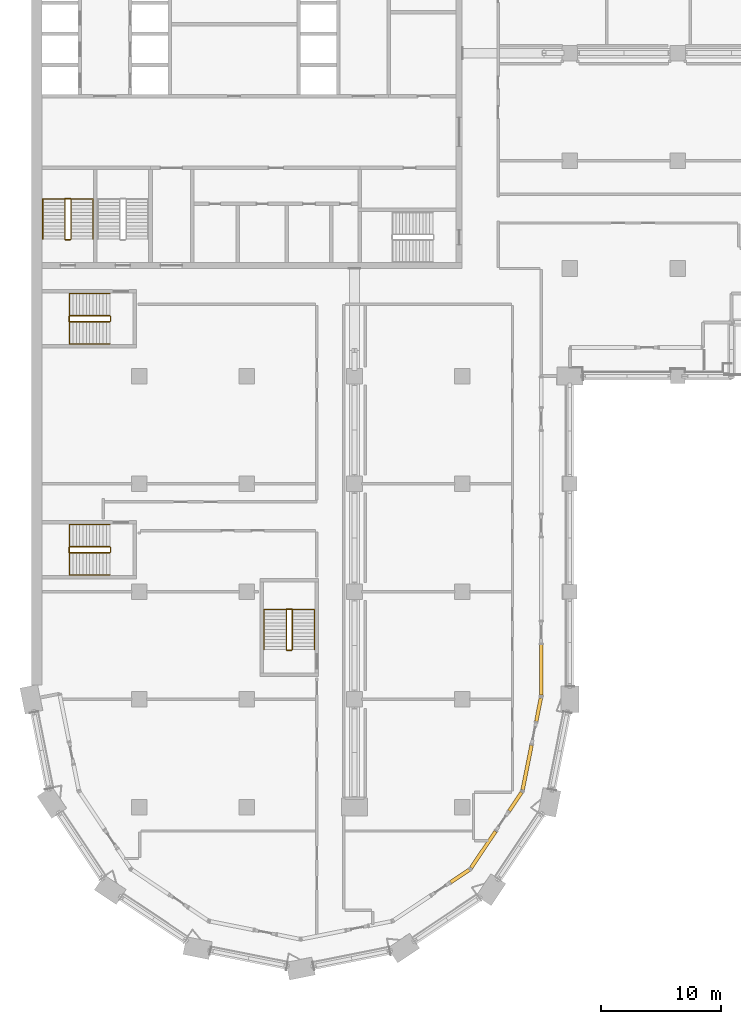
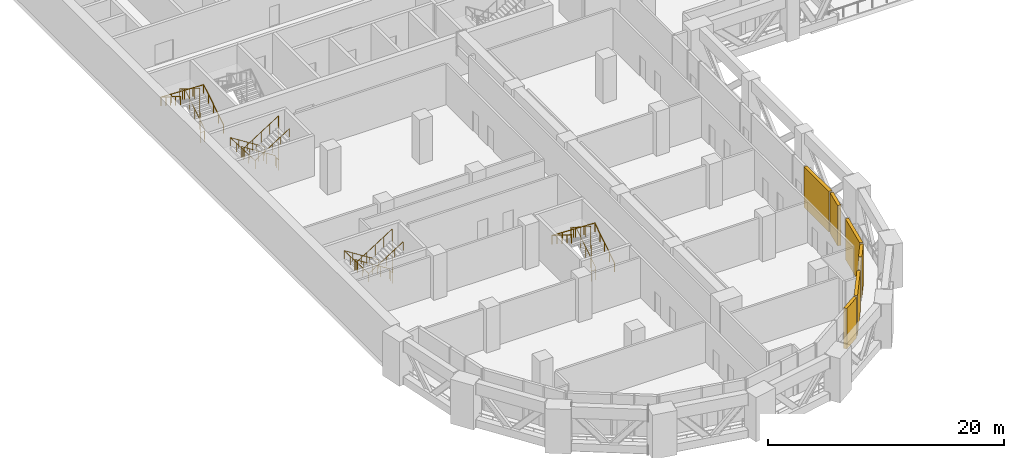
# One storey, part 19 of 22: 8 railings, 6 shading devices.
"""IFC4 building model written with IfcOpenShell, lengths in metres."""

from ifc_helpers import new_model, si_unit, direction, frame, origin, origin_2d, place, context, subcontext, project, spatial, rectangle, circle, extrude, material, layer, layer_set, type_object, element, save


model = new_model("IFC4")

# Units and contexts
model_context = context("Model", 3, precision=1e-05, world=origin(), true_north=direction((0.0, 1.0)))
body_context = subcontext(model_context, "Body", "Model", "MODEL_VIEW")
ifc_project = project(units=[si_unit("LENGTHUNIT", "METRE"), si_unit("AREAUNIT", "SQUARE_METRE"), si_unit("VOLUMEUNIT", "CUBIC_METRE"), si_unit("PLANEANGLEUNIT", "RADIAN"), si_unit("MASSUNIT", "GRAM", prefix="KILO")], contexts=[model_context])

# Site, building, storey
site_placement = place(None, origin())
site = spatial("IfcSite", under=ifc_project, at=site_placement, CompositionType="ELEMENT")
building_placement = place(site_placement, origin())
building = spatial("IfcBuilding", under=site, at=building_placement, Name="Hunhe Ridgeline Campus", CompositionType="ELEMENT")
storey_placement = place(building_placement, frame((0.0, 0.0, 129.199951171875)))
storey = spatial("IfcBuildingStorey", under=building, at=storey_placement, Name="L32", CompositionType="ELEMENT", Elevation=129.199951171875)

# Shading devices
ifc_material_1 = material(Name="Aluminium 6063", Category="aluminium")
ifc_layer = layer(ifc_material_1, 0.300048828125)
ifc_layer_set = layer_set([ifc_layer], Name="Louvre bank 300 Aluminium 6063")
shading_device_type = type_object("IfcShadingDeviceType", Name="Louvre bank 300 Aluminium 6063", PredefinedType="USERDEFINED", material=ifc_layer_set)
shading_device_1_placement = place(storey_placement, frame((35.80078125, 12.234375, 0.0), z_axis=(0.0, 0.0, 1.0), x_axis=(0.831469622629, 0.555570217564, 0.0)))
element("IfcShadingDevice", 1, at=shading_device_1_placement, inside=storey, type_object=shading_device_type, Name="Louvre bank 12", ObjectType="LOUVRE", PredefinedType="USERDEFINED", context=body_context, shape_type="SweptSolid", body=[
    extrude(rectangle(XDim=1.871826171875, YDim=0.300048828125, at=origin_2d()), origin(), (0.0, 0.0, 1.0), 4.199951171875),
])
shading_device_2_placement = place(storey_placement, frame((37.765625, 14.447509765625, 0.0), z_axis=(0.0, 0.0, 1.0), x_axis=(0.555570362959, 0.83146952548, 0.0)))
element("IfcShadingDevice", 2, at=shading_device_2_placement, inside=storey, type_object=shading_device_type, Name="Louvre bank 13", ObjectType="LOUVRE", PredefinedType="USERDEFINED", context=body_context, shape_type="SweptSolid", body=[
    extrude(rectangle(XDim=3.671875, YDim=0.300048828125, at=origin_2d()), origin(), (0.0, 0.0, 1.0), 4.199951171875),
])
shading_device_3_placement = place(storey_placement, frame((40.43896484375, 18.448486328125, 0.0), z_axis=(0.0, 0.0, 1.0), x_axis=(0.555570217564, 0.831469622629, 0.0)))
element("IfcShadingDevice", 3, at=shading_device_3_placement, inside=storey, type_object=shading_device_type, Name="Louvre bank 14", ObjectType="LOUVRE", PredefinedType="USERDEFINED", context=body_context, shape_type="SweptSolid", body=[
    extrude(rectangle(XDim=1.871826171875, YDim=0.300048828125, at=origin_2d()), origin(), (0.0, 0.0, 1.0), 4.199951171875),
])
shading_device_4_placement = place(storey_placement, frame((41.4189453125, 21.303955078125, 0.0), z_axis=(0.0, 0.0, 1.0), x_axis=(0.195090179937, 0.980785308664, 0.0)))
element("IfcShadingDevice", 4, at=shading_device_4_placement, inside=storey, type_object=shading_device_type, Name="Louvre bank 15", ObjectType="LOUVRE", PredefinedType="USERDEFINED", context=body_context, shape_type="SweptSolid", body=[
    extrude(rectangle(XDim=3.79248046875, YDim=0.300048828125, at=origin_2d()), origin(), (0.0, 0.0, 1.0), 4.199951171875),
])
shading_device_5_placement = place(storey_placement, frame((42.38134765625, 26.1416015625, 0.0), z_axis=(0.0, 0.0, 1.0), x_axis=(0.195090357587, 0.980785273328, 0.0)))
element("IfcShadingDevice", 5, at=shading_device_5_placement, inside=storey, type_object=shading_device_type, Name="Louvre bank 16", ObjectType="LOUVRE", PredefinedType="USERDEFINED", context=body_context, shape_type="SweptSolid", body=[
    extrude(rectangle(XDim=1.992431640625, YDim=0.300048828125, at=origin_2d()), origin(), (0.0, 0.0, 1.0), 4.199951171875),
])
shading_device_6_placement = place(storey_placement, frame((42.59912109375, 29.466796875, 0.0), z_axis=(0.0, 0.0, 1.0), x_axis=(4.483629e-06, 0.99999999999, 0.0)))
element("IfcShadingDevice", 6, at=shading_device_6_placement, inside=storey, type_object=shading_device_type, Name="Louvre bank 17", ObjectType="LOUVRE", PredefinedType="USERDEFINED", context=body_context, shape_type="SweptSolid", body=[
    extrude(rectangle(XDim=4.220703125, YDim=0.300048828125, at=origin_2d()), origin(), (0.0, 0.0, 1.0), 4.199951171875),
])

# Railings
ifc_material_2 = material(Name="Stainless steel balustrade", Category="steel")
railing_type_1 = type_object("IfcRailingType", Name="Stair guard 1100 stainless", PredefinedType="GUARDRAIL", material=ifc_material_2)
railing_1_placement = place(storey_placement, frame((3.300048828125, 65.449951171875, 0.177001953125)))
element("IfcRailing", 7, at=railing_1_placement, inside=storey, type_object=railing_type_1, Name="L32 stair S3 guard", PredefinedType="GUARDRAIL", context=body_context, shape_type="SweptSolid", body=[
    extrude(circle(Radius=0.02392578125, at=origin_2d()), frame((0.0, 0.0, 1.076171875), z_axis=(0.0, 0.845389635667, 0.534150132366), x_axis=(-1.0, 0.0, 0.0)), (0.0, 0.0, 1.0), 3.974609375),
    extrude(circle(Radius=0.02392578125, at=origin_2d()), frame((0.0, 3.360107421875, 3.19921875), z_axis=(-0.707106781187, 0.707106781187, 0.0), x_axis=(-0.707106781187, -0.707106781187, 0.0)), (0.0, 0.0, 1.0), 0.07080078125),
    extrude(circle(Radius=0.02392578125, at=origin_2d()), frame((-0.050048828125, 3.41015625, 3.19921875), z_axis=(-1.0, 0.0, 0.0), x_axis=(0.0, -1.0, 0.0)), (0.0, 0.0, 1.0), 0.39990234375),
    extrude(circle(Radius=0.02392578125, at=origin_2d()), frame((-0.449951171875, 3.41015625, 3.19921875), z_axis=(-0.262545553595, -0.262545553595, 0.928514762713), x_axis=(0.707106781187, -0.707106781187, 0.0)), (0.0, 0.0, 1.0), 0.190673828125),
    extrude(circle(Radius=0.02392578125, at=origin_2d()), frame((-0.5, 3.360107421875, 3.3759765625), z_axis=(0.0, -0.845389635667, 0.534150132366), x_axis=(1.0, 0.0, 0.0)), (0.0, 0.0, 1.0), 3.974609375),
    extrude(circle(Radius=0.02392578125, at=origin_2d()), frame((-0.5, 0.0, 5.4990234375), z_axis=(0.010878661383, -0.010878661383, -0.999881647723), x_axis=(0.707106781187, 0.707106781187, 0.0)), (0.0, 0.0, 1.0), 4.6005859375),
    extrude(circle(Radius=0.02392578125, at=origin_2d()), frame((-0.449951171875, -0.050048828125, 0.89892578125), z_axis=(1.0, 0.0, 0.0), x_axis=(0.0, 1.0, 0.0)), (0.0, 0.0, 1.0), 0.39990234375),
    extrude(circle(Radius=0.02099609375, at=origin_2d()), origin(), (0.0, 0.0, 1.0), 1.052001953125),
    extrude(circle(Radius=0.02099609375, at=origin_2d()), frame((0.0, 0.840087890625, 0.53076171875)), (0.0, 0.0, 1.0), 1.052001953125),
    extrude(circle(Radius=0.02099609375, at=origin_2d()), frame((0.0, 1.68017578125, 1.0615234375)), (0.0, 0.0, 1.0), 1.052001953125),
    extrude(circle(Radius=0.02099609375, at=origin_2d()), frame((0.0, 2.52001953125, 1.59228515625)), (0.0, 0.0, 1.0), 1.052001953125),
    extrude(circle(Radius=0.02099609375, at=origin_2d()), frame((0.0, 3.360107421875, 2.123046875)), (0.0, 0.0, 1.0), 1.052001953125),
    extrude(circle(Radius=0.02099609375, at=origin_2d()), frame((-0.050048828125, 3.41015625, 2.123046875)), (0.0, 0.0, 1.0), 1.052001953125),
    extrude(circle(Radius=0.02099609375, at=origin_2d()), frame((-0.449951171875, 3.41015625, 2.123046875)), (0.0, 0.0, 1.0), 1.052001953125),
    extrude(circle(Radius=0.02099609375, at=origin_2d()), frame((-0.5, 3.360107421875, 2.300048828125)), (0.0, 0.0, 1.0), 1.052001953125),
    extrude(circle(Radius=0.02099609375, at=origin_2d()), frame((-0.5, 2.52001953125, 2.830810546875)), (0.0, 0.0, 1.0), 1.052001953125),
    extrude(circle(Radius=0.02099609375, at=origin_2d()), frame((-0.5, 1.68017578125, 3.361572265625)), (0.0, 0.0, 1.0), 1.052001953125),
    extrude(circle(Radius=0.02099609375, at=origin_2d()), frame((-0.5, 0.840087890625, 3.892333984375)), (0.0, 0.0, 1.0), 1.052001953125),
    extrude(circle(Radius=0.02099609375, at=origin_2d()), frame((-0.5, 0.0, 4.423095703125)), (0.0, 0.0, 1.0), 1.052001953125),
    extrude(circle(Radius=0.02099609375, at=origin_2d()), frame((-0.487548828125, -0.012451171875, 3.27294921875)), (0.0, 0.0, 1.0), 1.052001953125),
    extrude(circle(Radius=0.02099609375, at=origin_2d()), frame((-0.47509765625, -0.02490234375, 2.123046875)), (0.0, 0.0, 1.0), 1.052001953125),
    extrude(circle(Radius=0.02099609375, at=origin_2d()), frame((-0.46240234375, -0.03759765625, 0.97314453125)), (0.0, 0.0, 1.0), 1.052001953125),
    extrude(circle(Radius=0.02099609375, at=origin_2d()), frame((-0.449951171875, -0.050048828125, -0.177001953125)), (0.0, 0.0, 1.0), 1.052001953125),
    extrude(circle(Radius=0.02099609375, at=origin_2d()), frame((-0.050048828125, -0.050048828125, -0.177001953125)), (0.0, 0.0, 1.0), 1.052001953125),
])
railing_2_placement = place(storey_placement, frame((21.800048828125, 31.14990234375, 0.177001953125)))
element("IfcRailing", 8, at=railing_2_placement, inside=storey, type_object=railing_type_1, Name="L32 stair W3 guard", PredefinedType="GUARDRAIL", context=body_context, shape_type="SweptSolid", body=[
    extrude(circle(Radius=0.02392578125, at=origin_2d()), frame((0.0, 0.0, 1.076171875), z_axis=(0.0, 0.845389635667, 0.534150132366), x_axis=(-1.0, 0.0, 0.0)), (0.0, 0.0, 1.0), 3.974609375),
    extrude(circle(Radius=0.02392578125, at=origin_2d()), frame((0.0, 3.360107421875, 3.19921875), z_axis=(-0.707106781187, 0.707106781187, 0.0), x_axis=(-0.707106781187, -0.707106781187, 0.0)), (0.0, 0.0, 1.0), 0.07080078125),
    extrude(circle(Radius=0.02392578125, at=origin_2d()), frame((-0.050048828125, 3.41015625, 3.19921875), z_axis=(-1.0, 0.0, 0.0), x_axis=(0.0, -1.0, 0.0)), (0.0, 0.0, 1.0), 0.39990234375),
    extrude(circle(Radius=0.02392578125, at=origin_2d()), frame((-0.449951171875, 3.41015625, 3.19921875), z_axis=(-0.262545553595, -0.262545553595, 0.928514762713), x_axis=(0.707106781187, -0.707106781187, 0.0)), (0.0, 0.0, 1.0), 0.190673828125),
    extrude(circle(Radius=0.02392578125, at=origin_2d()), frame((-0.5, 3.360107421875, 3.3759765625), z_axis=(0.0, -0.845389635667, 0.534150132366), x_axis=(1.0, 0.0, 0.0)), (0.0, 0.0, 1.0), 3.974609375),
    extrude(circle(Radius=0.02392578125, at=origin_2d()), frame((-0.5, 0.0, 5.4990234375), z_axis=(0.010878667648, -0.010825600977, -0.999882223541), x_axis=(0.705375805398, 0.708833529934, 0.0)), (0.0, 0.0, 1.0), 4.6005859375),
    extrude(circle(Radius=0.02392578125, at=origin_2d()), frame((-0.449951171875, -0.0498046875, 0.89892578125), z_axis=(1.0, 0.0, 0.0), x_axis=(0.0, 1.0, 0.0)), (0.0, 0.0, 1.0), 0.39990234375),
    extrude(circle(Radius=0.02099609375, at=origin_2d()), origin(), (0.0, 0.0, 1.0), 1.052001953125),
    extrude(circle(Radius=0.02099609375, at=origin_2d()), frame((0.0, 0.840087890625, 0.53076171875)), (0.0, 0.0, 1.0), 1.052001953125),
    extrude(circle(Radius=0.02099609375, at=origin_2d()), frame((0.0, 1.68017578125, 1.0615234375)), (0.0, 0.0, 1.0), 1.052001953125),
    extrude(circle(Radius=0.02099609375, at=origin_2d()), frame((0.0, 2.52001953125, 1.59228515625)), (0.0, 0.0, 1.0), 1.052001953125),
    extrude(circle(Radius=0.02099609375, at=origin_2d()), frame((0.0, 3.360107421875, 2.123046875)), (0.0, 0.0, 1.0), 1.052001953125),
    extrude(circle(Radius=0.02099609375, at=origin_2d()), frame((-0.050048828125, 3.41015625, 2.123046875)), (0.0, 0.0, 1.0), 1.052001953125),
    extrude(circle(Radius=0.02099609375, at=origin_2d()), frame((-0.449951171875, 3.41015625, 2.123046875)), (0.0, 0.0, 1.0), 1.052001953125),
    extrude(circle(Radius=0.02099609375, at=origin_2d()), frame((-0.5, 3.360107421875, 2.300048828125)), (0.0, 0.0, 1.0), 1.052001953125),
    extrude(circle(Radius=0.02099609375, at=origin_2d()), frame((-0.5, 2.52001953125, 2.830810546875)), (0.0, 0.0, 1.0), 1.052001953125),
    extrude(circle(Radius=0.02099609375, at=origin_2d()), frame((-0.5, 1.68017578125, 3.361572265625)), (0.0, 0.0, 1.0), 1.052001953125),
    extrude(circle(Radius=0.02099609375, at=origin_2d()), frame((-0.5, 0.840087890625, 3.892333984375)), (0.0, 0.0, 1.0), 1.052001953125),
    extrude(circle(Radius=0.02099609375, at=origin_2d()), frame((-0.5, 0.0, 4.423095703125)), (0.0, 0.0, 1.0), 1.052001953125),
    extrude(circle(Radius=0.02099609375, at=origin_2d()), frame((-0.487548828125, -0.012451171875, 3.27294921875)), (0.0, 0.0, 1.0), 1.052001953125),
    extrude(circle(Radius=0.02099609375, at=origin_2d()), frame((-0.47509765625, -0.02490234375, 2.123046875)), (0.0, 0.0, 1.0), 1.052001953125),
    extrude(circle(Radius=0.02099609375, at=origin_2d()), frame((-0.46240234375, -0.037353515625, 0.97314453125)), (0.0, 0.0, 1.0), 1.052001953125),
    extrude(circle(Radius=0.02099609375, at=origin_2d()), frame((-0.449951171875, -0.0498046875, -0.177001953125)), (0.0, 0.0, 1.0), 1.052001953125),
    extrude(circle(Radius=0.02099609375, at=origin_2d()), frame((-0.050048828125, -0.0498046875, -0.177001953125)), (0.0, 0.0, 1.0), 1.052001953125),
])
railing_3_placement = place(storey_placement, frame((6.550048828125, 39.75, 0.177001953125)))
element("IfcRailing", 9, at=railing_3_placement, inside=storey, type_object=railing_type_1, Name="L32 stair W1 guard", PredefinedType="GUARDRAIL", context=body_context, shape_type="SweptSolid", body=[
    extrude(circle(Radius=0.02392578125, at=origin_2d()), frame((0.0, 0.0, 1.076171875), z_axis=(-0.845389635667, 0.0, 0.534150132366), x_axis=(0.0, -1.0, 0.0)), (0.0, 0.0, 1.0), 3.974609375),
    extrude(circle(Radius=0.02392578125, at=origin_2d()), frame((-3.360107421875, 0.0, 3.19921875), z_axis=(-0.707106781187, -0.707106781187, 0.0), x_axis=(0.707106781187, -0.707106781187, 0.0)), (0.0, 0.0, 1.0), 0.07080078125),
    extrude(circle(Radius=0.02392578125, at=origin_2d()), frame((-3.41015625, -0.050048828125, 3.19921875), z_axis=(0.0, -1.0, 0.0), x_axis=(1.0, 0.0, 0.0)), (0.0, 0.0, 1.0), 0.39990234375),
    extrude(circle(Radius=0.02392578125, at=origin_2d()), frame((-3.41015625, -0.449951171875, 3.19921875), z_axis=(0.262545553595, -0.262545553595, 0.928514762713), x_axis=(0.707106781187, 0.707106781187, 0.0)), (0.0, 0.0, 1.0), 0.190673828125),
    extrude(circle(Radius=0.02392578125, at=origin_2d()), frame((-3.360107421875, -0.5, 3.3759765625), z_axis=(0.845389635667, 0.0, 0.534150132366), x_axis=(0.0, 1.0, 0.0)), (0.0, 0.0, 1.0), 3.974609375),
    extrude(circle(Radius=0.02392578125, at=origin_2d()), frame((0.0, -0.5, 5.4990234375), z_axis=(0.010878661383, 0.010878661383, -0.999881647723), x_axis=(-0.707106781187, 0.707106781187, 0.0)), (0.0, 0.0, 1.0), 4.6005859375),
    extrude(circle(Radius=0.02392578125, at=origin_2d()), frame((0.050048828125, -0.449951171875, 0.89892578125), z_axis=(0.0, 1.0, 0.0), x_axis=(-1.0, 0.0, 0.0)), (0.0, 0.0, 1.0), 0.39990234375),
    extrude(circle(Radius=0.02099609375, at=origin_2d()), origin(), (0.0, 0.0, 1.0), 1.052001953125),
    extrude(circle(Radius=0.02099609375, at=origin_2d()), frame((-0.840087890625, 0.0, 0.53076171875)), (0.0, 0.0, 1.0), 1.052001953125),
    extrude(circle(Radius=0.02099609375, at=origin_2d()), frame((-1.68017578125, 0.0, 1.0615234375)), (0.0, 0.0, 1.0), 1.052001953125),
    extrude(circle(Radius=0.02099609375, at=origin_2d()), frame((-2.52001953125, 0.0, 1.59228515625)), (0.0, 0.0, 1.0), 1.052001953125),
    extrude(circle(Radius=0.02099609375, at=origin_2d()), frame((-3.360107421875, 0.0, 2.123046875)), (0.0, 0.0, 1.0), 1.052001953125),
    extrude(circle(Radius=0.02099609375, at=origin_2d()), frame((-3.41015625, -0.050048828125, 2.123046875)), (0.0, 0.0, 1.0), 1.052001953125),
    extrude(circle(Radius=0.02099609375, at=origin_2d()), frame((-3.41015625, -0.449951171875, 2.123046875)), (0.0, 0.0, 1.0), 1.052001953125),
    extrude(circle(Radius=0.02099609375, at=origin_2d()), frame((-3.360107421875, -0.5, 2.300048828125)), (0.0, 0.0, 1.0), 1.052001953125),
    extrude(circle(Radius=0.02099609375, at=origin_2d()), frame((-2.52001953125, -0.5, 2.830810546875)), (0.0, 0.0, 1.0), 1.052001953125),
    extrude(circle(Radius=0.02099609375, at=origin_2d()), frame((-1.68017578125, -0.5, 3.361572265625)), (0.0, 0.0, 1.0), 1.052001953125),
    extrude(circle(Radius=0.02099609375, at=origin_2d()), frame((-0.840087890625, -0.5, 3.892333984375)), (0.0, 0.0, 1.0), 1.052001953125),
    extrude(circle(Radius=0.02099609375, at=origin_2d()), frame((0.0, -0.5, 4.423095703125)), (0.0, 0.0, 1.0), 1.052001953125),
    extrude(circle(Radius=0.02099609375, at=origin_2d()), frame((0.012451171875, -0.487548828125, 3.27294921875)), (0.0, 0.0, 1.0), 1.052001953125),
    extrude(circle(Radius=0.02099609375, at=origin_2d()), frame((0.02490234375, -0.47509765625, 2.123046875)), (0.0, 0.0, 1.0), 1.052001953125),
    extrude(circle(Radius=0.02099609375, at=origin_2d()), frame((0.03759765625, -0.46240234375, 0.97314453125)), (0.0, 0.0, 1.0), 1.052001953125),
    extrude(circle(Radius=0.02099609375, at=origin_2d()), frame((0.050048828125, -0.449951171875, -0.177001953125)), (0.0, 0.0, 1.0), 1.052001953125),
    extrude(circle(Radius=0.02099609375, at=origin_2d()), frame((0.050048828125, -0.050048828125, -0.177001953125)), (0.0, 0.0, 1.0), 1.052001953125),
])
railing_4_placement = place(storey_placement, frame((6.550048828125, 59.050048828125, 0.177001953125)))
element("IfcRailing", 10, at=railing_4_placement, inside=storey, type_object=railing_type_1, Name="L32 stair W2 guard", PredefinedType="GUARDRAIL", context=body_context, shape_type="SweptSolid", body=[
    extrude(circle(Radius=0.02392578125, at=origin_2d()), frame((0.0, 0.0, 1.076171875), z_axis=(-0.845389635667, 0.0, 0.534150132366), x_axis=(0.0, -1.0, 0.0)), (0.0, 0.0, 1.0), 3.974609375),
    extrude(circle(Radius=0.02392578125, at=origin_2d()), frame((-3.360107421875, 0.0, 3.19921875), z_axis=(-0.707106781187, -0.707106781187, 0.0), x_axis=(0.707106781187, -0.707106781187, 0.0)), (0.0, 0.0, 1.0), 0.07080078125),
    extrude(circle(Radius=0.02392578125, at=origin_2d()), frame((-3.41015625, -0.050048828125, 3.19921875), z_axis=(0.0, -1.0, 0.0), x_axis=(1.0, 0.0, 0.0)), (0.0, 0.0, 1.0), 0.39990234375),
    extrude(circle(Radius=0.02392578125, at=origin_2d()), frame((-3.41015625, -0.449951171875, 3.19921875), z_axis=(0.262545553595, -0.262545553595, 0.928514762713), x_axis=(0.707106781187, 0.707106781187, 0.0)), (0.0, 0.0, 1.0), 0.190673828125),
    extrude(circle(Radius=0.02392578125, at=origin_2d()), frame((-3.360107421875, -0.5, 3.3759765625), z_axis=(0.845389635667, 0.0, 0.534150132366), x_axis=(0.0, 1.0, 0.0)), (0.0, 0.0, 1.0), 3.974609375),
    extrude(circle(Radius=0.02392578125, at=origin_2d()), frame((0.0, -0.5, 5.4990234375), z_axis=(0.010878661383, 0.010878661383, -0.999881647723), x_axis=(-0.707106781187, 0.707106781187, 0.0)), (0.0, 0.0, 1.0), 4.6005859375),
    extrude(circle(Radius=0.02392578125, at=origin_2d()), frame((0.050048828125, -0.449951171875, 0.89892578125), z_axis=(0.0, 1.0, 0.0), x_axis=(-1.0, 0.0, 0.0)), (0.0, 0.0, 1.0), 0.39990234375),
    extrude(circle(Radius=0.02099609375, at=origin_2d()), origin(), (0.0, 0.0, 1.0), 1.052001953125),
    extrude(circle(Radius=0.02099609375, at=origin_2d()), frame((-0.840087890625, 0.0, 0.53076171875)), (0.0, 0.0, 1.0), 1.052001953125),
    extrude(circle(Radius=0.02099609375, at=origin_2d()), frame((-1.68017578125, 0.0, 1.0615234375)), (0.0, 0.0, 1.0), 1.052001953125),
    extrude(circle(Radius=0.02099609375, at=origin_2d()), frame((-2.52001953125, 0.0, 1.59228515625)), (0.0, 0.0, 1.0), 1.052001953125),
    extrude(circle(Radius=0.02099609375, at=origin_2d()), frame((-3.360107421875, 0.0, 2.123046875)), (0.0, 0.0, 1.0), 1.052001953125),
    extrude(circle(Radius=0.02099609375, at=origin_2d()), frame((-3.41015625, -0.050048828125, 2.123046875)), (0.0, 0.0, 1.0), 1.052001953125),
    extrude(circle(Radius=0.02099609375, at=origin_2d()), frame((-3.41015625, -0.449951171875, 2.123046875)), (0.0, 0.0, 1.0), 1.052001953125),
    extrude(circle(Radius=0.02099609375, at=origin_2d()), frame((-3.360107421875, -0.5, 2.300048828125)), (0.0, 0.0, 1.0), 1.052001953125),
    extrude(circle(Radius=0.02099609375, at=origin_2d()), frame((-2.52001953125, -0.5, 2.830810546875)), (0.0, 0.0, 1.0), 1.052001953125),
    extrude(circle(Radius=0.02099609375, at=origin_2d()), frame((-1.68017578125, -0.5, 3.361572265625)), (0.0, 0.0, 1.0), 1.052001953125),
    extrude(circle(Radius=0.02099609375, at=origin_2d()), frame((-0.840087890625, -0.5, 3.892333984375)), (0.0, 0.0, 1.0), 1.052001953125),
    extrude(circle(Radius=0.02099609375, at=origin_2d()), frame((0.0, -0.5, 4.423095703125)), (0.0, 0.0, 1.0), 1.052001953125),
    extrude(circle(Radius=0.02099609375, at=origin_2d()), frame((0.012451171875, -0.487548828125, 3.27294921875)), (0.0, 0.0, 1.0), 1.052001953125),
    extrude(circle(Radius=0.02099609375, at=origin_2d()), frame((0.02490234375, -0.47509765625, 2.123046875)), (0.0, 0.0, 1.0), 1.052001953125),
    extrude(circle(Radius=0.02099609375, at=origin_2d()), frame((0.03759765625, -0.46240234375, 0.97314453125)), (0.0, 0.0, 1.0), 1.052001953125),
    extrude(circle(Radius=0.02099609375, at=origin_2d()), frame((0.050048828125, -0.449951171875, -0.177001953125)), (0.0, 0.0, 1.0), 1.052001953125),
    extrude(circle(Radius=0.02099609375, at=origin_2d()), frame((0.050048828125, -0.050048828125, -0.177001953125)), (0.0, 0.0, 1.0), 1.052001953125),
])
ifc_material_3 = material(Name="Stainless steel handrail", Category="steel")
railing_type_2 = type_object("IfcRailingType", Name="Stair handrail 900 stainless", PredefinedType="HANDRAIL", material=ifc_material_3)
railing_5_placement = place(storey_placement, frame((5.14990234375, 65.449951171875, 0.177001953125)))
element("IfcRailing", 11, at=railing_5_placement, inside=storey, type_object=railing_type_2, Name="L32 stair S3 handrail", PredefinedType="HANDRAIL", context=body_context, shape_type="SweptSolid", body=[
    extrude(circle(Radius=0.02392578125, at=origin_2d()), frame((0.0, 0.0, 0.8759765625), z_axis=(0.0, 0.845389635667, 0.534150132366), x_axis=(-1.0, 0.0, 0.0)), (0.0, 0.0, 1.0), 3.974609375),
    extrude(circle(Radius=0.02392578125, at=origin_2d()), frame((0.0, 3.360107421875, 2.9990234375), z_axis=(-0.999113130752, 0.0, 0.042106436075), x_axis=(0.0, -1.0, 0.0)), (0.0, 0.0, 1.0), 4.20361328125),
    extrude(circle(Radius=0.02392578125, at=origin_2d()), frame((-4.199951171875, 3.360107421875, 3.17578125), z_axis=(0.0, -0.845389635667, 0.534150132366), x_axis=(1.0, 0.0, 0.0)), (0.0, 0.0, 1.0), 3.974609375),
    extrude(circle(Radius=0.02099609375, at=origin_2d()), origin(), (0.0, 0.0, 1.0), 0.851806640625),
    extrude(circle(Radius=0.02099609375, at=origin_2d()), frame((0.0, 0.840087890625, 0.53076171875)), (0.0, 0.0, 1.0), 0.851806640625),
    extrude(circle(Radius=0.02099609375, at=origin_2d()), frame((0.0, 1.68017578125, 1.0615234375)), (0.0, 0.0, 1.0), 0.851806640625),
    extrude(circle(Radius=0.02099609375, at=origin_2d()), frame((0.0, 2.52001953125, 1.59228515625)), (0.0, 0.0, 1.0), 0.851806640625),
    extrude(circle(Radius=0.02099609375, at=origin_2d()), frame((0.0, 3.360107421875, 2.123046875)), (0.0, 0.0, 1.0), 0.851806640625),
    extrude(circle(Radius=0.02099609375, at=origin_2d()), frame((-1.050048828125, 3.360107421875, 2.167236328125)), (0.0, 0.0, 1.0), 0.851806640625),
    extrude(circle(Radius=0.02099609375, at=origin_2d()), frame((-2.10009765625, 3.360107421875, 2.21142578125)), (0.0, 0.0, 1.0), 0.851806640625),
    extrude(circle(Radius=0.02099609375, at=origin_2d()), frame((-3.14990234375, 3.360107421875, 2.255859375)), (0.0, 0.0, 1.0), 0.851806640625),
    extrude(circle(Radius=0.02099609375, at=origin_2d()), frame((-4.199951171875, 3.360107421875, 2.300048828125)), (0.0, 0.0, 1.0), 0.851806640625),
    extrude(circle(Radius=0.02099609375, at=origin_2d()), frame((-4.199951171875, 2.52001953125, 2.830810546875)), (0.0, 0.0, 1.0), 0.851806640625),
    extrude(circle(Radius=0.02099609375, at=origin_2d()), frame((-4.199951171875, 1.68017578125, 3.361572265625)), (0.0, 0.0, 1.0), 0.851806640625),
    extrude(circle(Radius=0.02099609375, at=origin_2d()), frame((-4.199951171875, 0.840087890625, 3.892333984375)), (0.0, 0.0, 1.0), 0.851806640625),
    extrude(circle(Radius=0.02099609375, at=origin_2d()), frame((-4.199951171875, 0.0, 4.423095703125)), (0.0, 0.0, 1.0), 0.851806640625),
])
railing_6_placement = place(storey_placement, frame((23.64990234375, 31.14990234375, 0.177001953125)))
element("IfcRailing", 12, at=railing_6_placement, inside=storey, type_object=railing_type_2, Name="L32 stair W3 handrail", PredefinedType="HANDRAIL", context=body_context, shape_type="SweptSolid", body=[
    extrude(circle(Radius=0.02392578125, at=origin_2d()), frame((0.0, 0.0, 0.8759765625), z_axis=(0.0, 0.845389635667, 0.534150132366), x_axis=(-1.0, 0.0, 0.0)), (0.0, 0.0, 1.0), 3.974609375),
    extrude(circle(Radius=0.02392578125, at=origin_2d()), frame((0.0, 3.360107421875, 2.9990234375), z_axis=(-0.999113130752, 0.0, 0.042106436075), x_axis=(0.0, -1.0, 0.0)), (0.0, 0.0, 1.0), 4.20361328125),
    extrude(circle(Radius=0.02392578125, at=origin_2d()), frame((-4.199951171875, 3.360107421875, 3.17578125), z_axis=(0.0, -0.845389635667, 0.534150132366), x_axis=(1.0, 0.0, 0.0)), (0.0, 0.0, 1.0), 3.974609375),
    extrude(circle(Radius=0.02099609375, at=origin_2d()), origin(), (0.0, 0.0, 1.0), 0.851806640625),
    extrude(circle(Radius=0.02099609375, at=origin_2d()), frame((0.0, 0.840087890625, 0.53076171875)), (0.0, 0.0, 1.0), 0.851806640625),
    extrude(circle(Radius=0.02099609375, at=origin_2d()), frame((0.0, 1.68017578125, 1.0615234375)), (0.0, 0.0, 1.0), 0.851806640625),
    extrude(circle(Radius=0.02099609375, at=origin_2d()), frame((0.0, 2.52001953125, 1.59228515625)), (0.0, 0.0, 1.0), 0.851806640625),
    extrude(circle(Radius=0.02099609375, at=origin_2d()), frame((0.0, 3.360107421875, 2.123046875)), (0.0, 0.0, 1.0), 0.851806640625),
    extrude(circle(Radius=0.02099609375, at=origin_2d()), frame((-1.050048828125, 3.360107421875, 2.167236328125)), (0.0, 0.0, 1.0), 0.851806640625),
    extrude(circle(Radius=0.02099609375, at=origin_2d()), frame((-2.10009765625, 3.360107421875, 2.21142578125)), (0.0, 0.0, 1.0), 0.851806640625),
    extrude(circle(Radius=0.02099609375, at=origin_2d()), frame((-3.14990234375, 3.360107421875, 2.255859375)), (0.0, 0.0, 1.0), 0.851806640625),
    extrude(circle(Radius=0.02099609375, at=origin_2d()), frame((-4.199951171875, 3.360107421875, 2.300048828125)), (0.0, 0.0, 1.0), 0.851806640625),
    extrude(circle(Radius=0.02099609375, at=origin_2d()), frame((-4.199951171875, 2.52001953125, 2.830810546875)), (0.0, 0.0, 1.0), 0.851806640625),
    extrude(circle(Radius=0.02099609375, at=origin_2d()), frame((-4.199951171875, 1.68017578125, 3.361572265625)), (0.0, 0.0, 1.0), 0.851806640625),
    extrude(circle(Radius=0.02099609375, at=origin_2d()), frame((-4.199951171875, 0.840087890625, 3.892333984375)), (0.0, 0.0, 1.0), 0.851806640625),
    extrude(circle(Radius=0.02099609375, at=origin_2d()), frame((-4.199951171875, 0.0, 4.423095703125)), (0.0, 0.0, 1.0), 0.851806640625),
])
railing_7_placement = place(storey_placement, frame((6.550048828125, 41.60009765625, 0.177001953125)))
element("IfcRailing", 13, at=railing_7_placement, inside=storey, type_object=railing_type_2, Name="L32 stair W1 handrail", PredefinedType="HANDRAIL", context=body_context, shape_type="SweptSolid", body=[
    extrude(circle(Radius=0.02392578125, at=origin_2d()), frame((0.0, 0.0, 0.8759765625), z_axis=(-0.845389635667, 0.0, 0.534150132366), x_axis=(0.0, -1.0, 0.0)), (0.0, 0.0, 1.0), 3.974609375),
    extrude(circle(Radius=0.02392578125, at=origin_2d()), frame((-3.360107421875, 0.0, 2.9990234375), z_axis=(0.0, -0.999113233712, 0.042103992934), x_axis=(1.0, 0.0, 0.0)), (0.0, 0.0, 1.0), 4.203857421875),
    extrude(circle(Radius=0.02392578125, at=origin_2d()), frame((-3.360107421875, -4.2001953125, 3.17578125), z_axis=(0.845389635667, 0.0, 0.534150132366), x_axis=(0.0, 1.0, 0.0)), (0.0, 0.0, 1.0), 3.974609375),
    extrude(circle(Radius=0.02099609375, at=origin_2d()), origin(), (0.0, 0.0, 1.0), 0.851806640625),
    extrude(circle(Radius=0.02099609375, at=origin_2d()), frame((-0.840087890625, 0.0, 0.53076171875)), (0.0, 0.0, 1.0), 0.851806640625),
    extrude(circle(Radius=0.02099609375, at=origin_2d()), frame((-1.68017578125, 0.0, 1.0615234375)), (0.0, 0.0, 1.0), 0.851806640625),
    extrude(circle(Radius=0.02099609375, at=origin_2d()), frame((-2.52001953125, 0.0, 1.59228515625)), (0.0, 0.0, 1.0), 0.851806640625),
    extrude(circle(Radius=0.02099609375, at=origin_2d()), frame((-3.360107421875, 0.0, 2.123046875)), (0.0, 0.0, 1.0), 0.851806640625),
    extrude(circle(Radius=0.02099609375, at=origin_2d()), frame((-3.360107421875, -1.050048828125, 2.167236328125)), (0.0, 0.0, 1.0), 0.851806640625),
    extrude(circle(Radius=0.02099609375, at=origin_2d()), frame((-3.360107421875, -2.10009765625, 2.21142578125)), (0.0, 0.0, 1.0), 0.851806640625),
    extrude(circle(Radius=0.02099609375, at=origin_2d()), frame((-3.360107421875, -3.150146484375, 2.255859375)), (0.0, 0.0, 1.0), 0.851806640625),
    extrude(circle(Radius=0.02099609375, at=origin_2d()), frame((-3.360107421875, -4.2001953125, 2.300048828125)), (0.0, 0.0, 1.0), 0.851806640625),
    extrude(circle(Radius=0.02099609375, at=origin_2d()), frame((-2.52001953125, -4.2001953125, 2.830810546875)), (0.0, 0.0, 1.0), 0.851806640625),
    extrude(circle(Radius=0.02099609375, at=origin_2d()), frame((-1.68017578125, -4.2001953125, 3.361572265625)), (0.0, 0.0, 1.0), 0.851806640625),
    extrude(circle(Radius=0.02099609375, at=origin_2d()), frame((-0.840087890625, -4.2001953125, 3.892333984375)), (0.0, 0.0, 1.0), 0.851806640625),
    extrude(circle(Radius=0.02099609375, at=origin_2d()), frame((0.0, -4.2001953125, 4.423095703125)), (0.0, 0.0, 1.0), 0.851806640625),
])
railing_8_placement = place(storey_placement, frame((6.550048828125, 60.89990234375, 0.177001953125)))
element("IfcRailing", 14, at=railing_8_placement, inside=storey, type_object=railing_type_2, Name="L32 stair W2 handrail", PredefinedType="HANDRAIL", context=body_context, shape_type="SweptSolid", body=[
    extrude(circle(Radius=0.02392578125, at=origin_2d()), frame((0.0, 0.0, 0.8759765625), z_axis=(-0.845389635667, 0.0, 0.534150132366), x_axis=(0.0, -1.0, 0.0)), (0.0, 0.0, 1.0), 3.974609375),
    extrude(circle(Radius=0.02392578125, at=origin_2d()), frame((-3.360107421875, 0.0, 2.9990234375), z_axis=(0.0, -0.999113130752, 0.042106436075), x_axis=(1.0, 0.0, 0.0)), (0.0, 0.0, 1.0), 4.20361328125),
    extrude(circle(Radius=0.02392578125, at=origin_2d()), frame((-3.360107421875, -4.199951171875, 3.17578125), z_axis=(0.845389635667, 0.0, 0.534150132366), x_axis=(0.0, 1.0, 0.0)), (0.0, 0.0, 1.0), 3.974609375),
    extrude(circle(Radius=0.02099609375, at=origin_2d()), origin(), (0.0, 0.0, 1.0), 0.851806640625),
    extrude(circle(Radius=0.02099609375, at=origin_2d()), frame((-0.840087890625, 0.0, 0.53076171875)), (0.0, 0.0, 1.0), 0.851806640625),
    extrude(circle(Radius=0.02099609375, at=origin_2d()), frame((-1.68017578125, 0.0, 1.0615234375)), (0.0, 0.0, 1.0), 0.851806640625),
    extrude(circle(Radius=0.02099609375, at=origin_2d()), frame((-2.52001953125, 0.0, 1.59228515625)), (0.0, 0.0, 1.0), 0.851806640625),
    extrude(circle(Radius=0.02099609375, at=origin_2d()), frame((-3.360107421875, 0.0, 2.123046875)), (0.0, 0.0, 1.0), 0.851806640625),
    extrude(circle(Radius=0.02099609375, at=origin_2d()), frame((-3.360107421875, -1.050048828125, 2.167236328125)), (0.0, 0.0, 1.0), 0.851806640625),
    extrude(circle(Radius=0.02099609375, at=origin_2d()), frame((-3.360107421875, -2.10009765625, 2.21142578125)), (0.0, 0.0, 1.0), 0.851806640625),
    extrude(circle(Radius=0.02099609375, at=origin_2d()), frame((-3.360107421875, -3.14990234375, 2.255859375)), (0.0, 0.0, 1.0), 0.851806640625),
    extrude(circle(Radius=0.02099609375, at=origin_2d()), frame((-3.360107421875, -4.199951171875, 2.300048828125)), (0.0, 0.0, 1.0), 0.851806640625),
    extrude(circle(Radius=0.02099609375, at=origin_2d()), frame((-2.52001953125, -4.199951171875, 2.830810546875)), (0.0, 0.0, 1.0), 0.851806640625),
    extrude(circle(Radius=0.02099609375, at=origin_2d()), frame((-1.68017578125, -4.199951171875, 3.361572265625)), (0.0, 0.0, 1.0), 0.851806640625),
    extrude(circle(Radius=0.02099609375, at=origin_2d()), frame((-0.840087890625, -4.199951171875, 3.892333984375)), (0.0, 0.0, 1.0), 0.851806640625),
    extrude(circle(Radius=0.02099609375, at=origin_2d()), frame((0.0, -4.199951171875, 4.423095703125)), (0.0, 0.0, 1.0), 0.851806640625),
])

save(model, "model.ifc")
